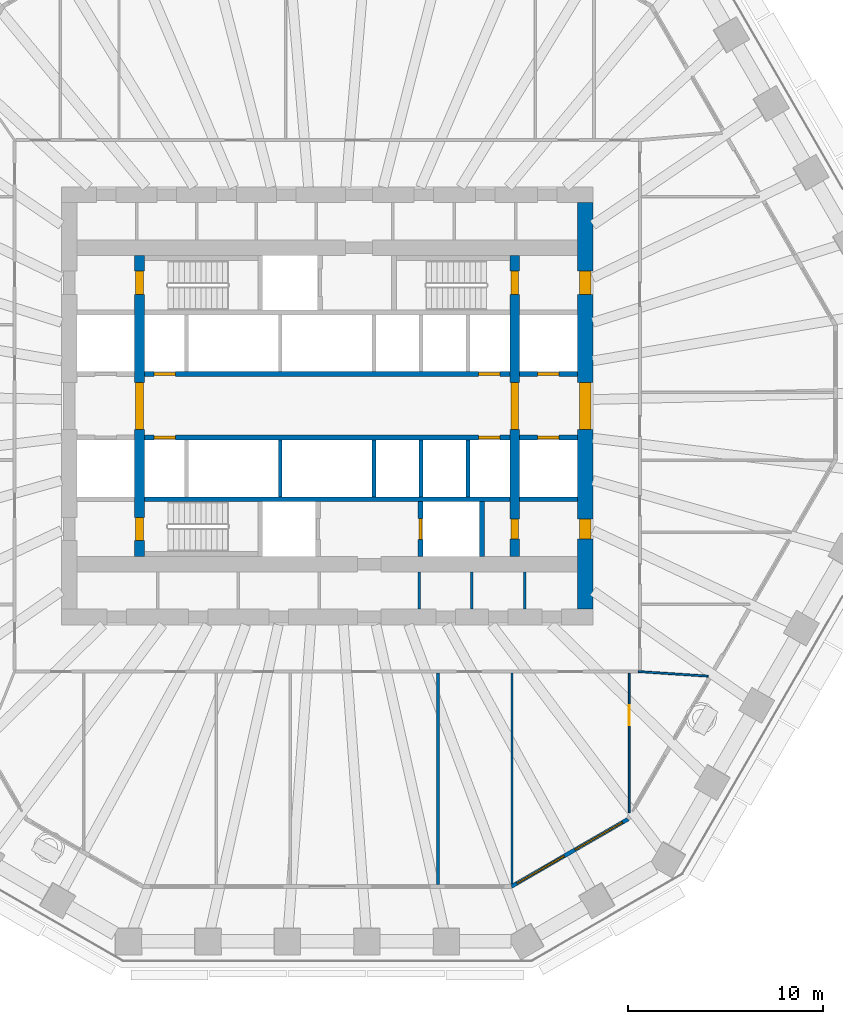
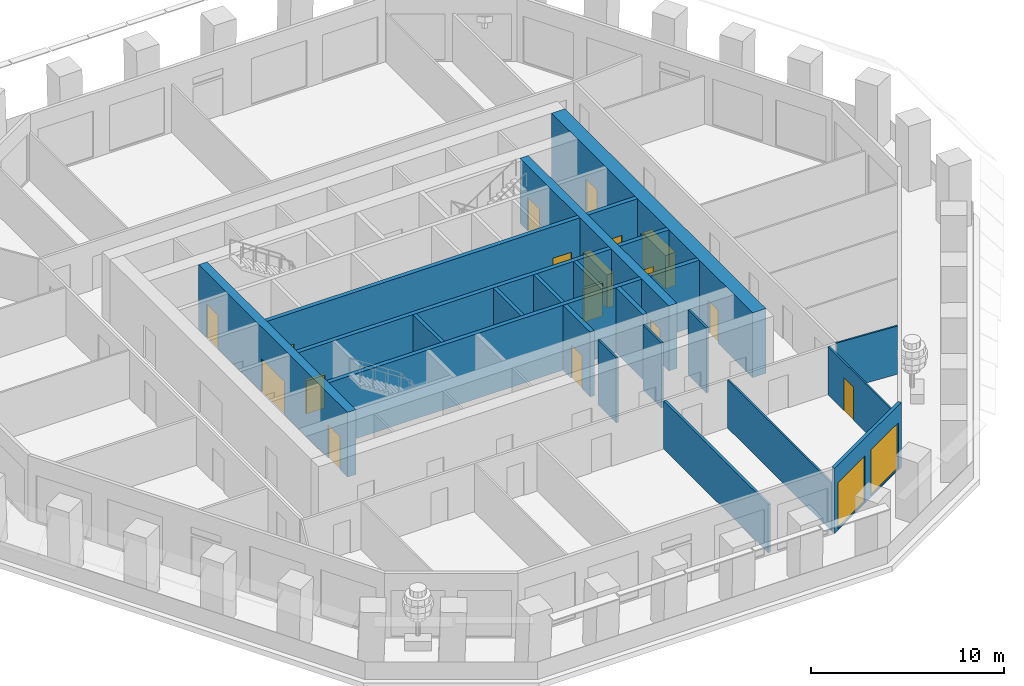
# One storey, part 5 of 13: 23 walls, 17 doors, 2 windows, 19 openings.
"""IFC4 building model written with IfcOpenShell, lengths in metres."""

import ifcopenshell
import ifcopenshell.guid

model = None  # the IFC model being written
_history = None  # IfcOwnerHistory: only IFC2X3 demands one
_inside = {}  # id of a spatial element -> (the spatial element, [elements in it])
_under = {}  # id of a project, library or spatial element -> (it, [spatial elements below it])
_declared = {}  # id of a project -> (the project, [libraries it declares])
_typed = {}  # id of a type object -> (the type object, [elements of that type])
_made_of = {}  # id of a material, layer set ... -> (it, [elements and type objects made of it])


def new_model(schema):
    """Start an empty IFC model of exactly this schema.

    Asked for "IFC4X3", IfcOpenShell would pick the latest addendum, in which some entities
    have other attributes; the version numbers below select the first issue.
    IFC2X3 requires an IfcOwnerHistory on every rooted entity: one is made here for all.
    """
    global model, _history
    if schema == "IFC4X3":
        model = ifcopenshell.file(schema_version=(4, 3, 0, 0))
    else:
        model = ifcopenshell.file(schema=schema)
    _inside.clear()
    _under.clear()
    _declared.clear()
    _typed.clear()
    _made_of.clear()
    _history = None
    if model.schema == "IFC2X3":
        org = make("IfcOrganization", Name="unknown")
        user = make(
            "IfcPersonAndOrganization",
            ThePerson=make("IfcPerson", FamilyName="unknown"),
            TheOrganization=org,
        )
        app = make(
            "IfcApplication",
            ApplicationDeveloper=org,
            Version="unknown",
            ApplicationFullName="unknown",
            ApplicationIdentifier="unknown",
        )
        _history = make(
            "IfcOwnerHistory",
            OwningUser=user,
            OwningApplication=app,
            ChangeAction="ADDED",
            CreationDate=0,
        )
    return model


def make(cls, **values):
    """One entity of the class cls with the attributes given. An attribute that is None is left unset."""
    return model.create_entity(
        cls, **{name: value for name, value in values.items() if value is not None}
    )


def rooted(cls, **values):
    """An entity with a GlobalId (a new one), such as an element, a storey or a relation."""
    return make(cls, GlobalId=ifcopenshell.guid.new(), OwnerHistory=_history, **values)


def si_unit(unit_type, name, prefix=None):
    """IfcSIUnit, for example si_unit("LENGTHUNIT", "METRE", prefix="MILLI")."""
    return make("IfcSIUnit", UnitType=unit_type, Prefix=prefix, Name=name)


def assignment(units):
    """IfcUnitAssignment: the units of a project."""
    return None if units is None else make("IfcUnitAssignment", Units=units)


def point(xyz):
    """IfcCartesianPoint."""
    return None if xyz is None else make("IfcCartesianPoint", Coordinates=xyz)


def direction(xyz):
    """IfcDirection."""
    return None if xyz is None else make("IfcDirection", DirectionRatios=xyz)


def frame(location, z_axis=None, x_axis=None):
    """IfcAxis2Placement3D, a coordinate frame: its origin and axes. An axis left out is left unset."""
    return make(
        "IfcAxis2Placement3D",
        Location=point(location),
        Axis=direction(z_axis),
        RefDirection=direction(x_axis),
    )


def frame_2d(location, x_axis=None):
    """IfcAxis2Placement2D, a coordinate frame in the plane: its origin and x axis."""
    return make(
        "IfcAxis2Placement2D", Location=point(location), RefDirection=direction(x_axis)
    )


def origin():
    """The frame at (0, 0, 0) with its axes left unset."""
    return frame((0.0, 0.0, 0.0))


def place(relative_to, where):
    """IfcLocalPlacement: puts the frame where relative to a parent placement (None: the world)."""
    return make(
        "IfcLocalPlacement", PlacementRelTo=relative_to, RelativePlacement=where
    )


def context(
    kind, dimensions, precision=None, world=None, true_north=None, identifier=None
):
    """IfcGeometricRepresentationContext, for example the 3D "Model" context."""
    return make(
        "IfcGeometricRepresentationContext",
        ContextIdentifier=identifier,
        ContextType=kind,
        CoordinateSpaceDimension=dimensions,
        Precision=precision,
        WorldCoordinateSystem=world,
        TrueNorth=true_north,
    )


def subcontext(parent, identifier, kind, view, scale=None):
    """IfcGeometricRepresentationSubContext, for example "Body" below "Model"."""
    return make(
        "IfcGeometricRepresentationSubContext",
        ContextIdentifier=identifier,
        ContextType=kind,
        ParentContext=parent,
        TargetScale=scale,
        TargetView=view,
    )


def project(units=None, contexts=None):
    """IfcProject with its units and contexts."""
    return rooted(
        "IfcProject",
        Name="project",
        RepresentationContexts=contexts,
        UnitsInContext=assignment(units),
    )


def spatial(cls, under=None, at=None, **own):
    """A site, building, storey or space (cls), placed at a placement, below another one or the project."""
    s = rooted(cls, ObjectPlacement=at, **own)
    if under is not None:
        _under.setdefault(under.id(), (under, []))[1].append(s)
    return s


def polyline(points):
    """IfcPolyline through the points."""
    return make("IfcPolyline", Points=[point(p) for p in points])


def profile(cls, at=None, kind="AREA", **sizes):
    """A parametric profile (cls). Its sizes go by their IFC names, for example OverallWidth=200.0."""
    return make(cls, ProfileType=kind, Position=at, **sizes)


def rectangle(**sizes):
    """IfcRectangleProfileDef."""
    return profile("IfcRectangleProfileDef", **sizes)


def outline(outer, holes=None, kind="AREA"):
    """IfcArbitraryClosedProfileDef: a profile drawn as a closed curve; with holes, ...WithVoids."""
    if holes is None:
        return make("IfcArbitraryClosedProfileDef", ProfileType=kind, OuterCurve=outer)
    return make(
        "IfcArbitraryProfileDefWithVoids",
        ProfileType=kind,
        OuterCurve=outer,
        InnerCurves=holes,
    )


def extrude(swept, where, along, depth):
    """IfcExtrudedAreaSolid: the profile swept, set in the frame where, extruded along a direction by depth."""
    return make(
        "IfcExtrudedAreaSolid",
        SweptArea=swept,
        Position=where,
        ExtrudedDirection=direction(along),
        Depth=depth,
    )


def shape(context_of_items, identifier, shape_type, items):
    """IfcShapeRepresentation: the items that make up one representation, for example the "Body"."""
    return make(
        "IfcShapeRepresentation",
        ContextOfItems=context_of_items,
        RepresentationIdentifier=identifier,
        RepresentationType=shape_type,
        Items=items,
    )


def material(Name=None, Category=None):
    """IfcMaterial."""
    return make("IfcMaterial", Name=Name, Category=Category)


def layer(
    of_material, thickness, ventilated=None, Name=None, Category=None, Priority=None
):
    """IfcMaterialLayer: one layer of a wall or slab, of a material (None: an air gap)."""
    return make(
        "IfcMaterialLayer",
        Material=of_material,
        LayerThickness=thickness,
        IsVentilated=ventilated,
        Name=Name,
        Category=Category,
        Priority=Priority,
    )


def layer_set(layers, Name=None):
    """IfcMaterialLayerSet."""
    return make("IfcMaterialLayerSet", MaterialLayers=layers, LayerSetName=Name)


def made_of(thing, what):
    """Note that an element or type object is made of a material, layer set ...; save() writes the relation."""
    if what is not None:
        _made_of.setdefault(what.id(), (what, []))[1].append(thing)
    return thing


def type_object(cls, material=None, **own):
    """A type object (cls), such as IfcWallType, which elements share."""
    return made_of(rooted(cls, **own), material)


def element(
    cls,
    number,
    at=None,
    inside=None,
    cuts=None,
    type_object=None,
    material=None,
    context=None,
    identifier="Body",
    shape_type=None,
    held_by="IfcProductDefinitionShape",
    body=None,
    shapes=None,
    **own,
):
    """One element of the class cls, such as IfcWall. Its Tag is "e" and its number.

    at: its placement. inside: the storey or other place that contains it. cuts: it is an
    opening in that element (IfcRelVoidsElement). A single representation is given by context,
    identifier, shape_type and body (its items); several are given by shapes. held_by: the class
    of the entity that holds the representations. save() writes the other relations.
    """
    e = rooted(cls, Tag="e%d" % number, ObjectPlacement=at, **own)
    if body is not None:
        shapes = [shape(context, identifier, shape_type, body)]
    if shapes is not None:
        e.Representation = make(held_by, Representations=shapes)
    if inside is not None:
        _inside.setdefault(inside.id(), (inside, []))[1].append(e)
    if cuts is not None:
        rooted(
            "IfcRelVoidsElement", RelatingBuildingElement=cuts, RelatedOpeningElement=e
        )
    if type_object is not None:
        _typed.setdefault(type_object.id(), (type_object, []))[1].append(e)
    return made_of(e, material)


def fill(opening, filler):
    """IfcRelFillsElement: the door or window that sits in an opening."""
    return rooted(
        "IfcRelFillsElement",
        RelatingOpeningElement=opening,
        RelatedBuildingElement=filler,
    )


def aggregate(whole, parts):
    """IfcRelAggregates: a whole, such as a stair, and the parts it consists of."""
    return rooted("IfcRelAggregates", RelatingObject=whole, RelatedObjects=parts)


def save(model, path):
    """Write the relations noted so far, then the file.

    IfcRelAggregates (storeys below a building ...), IfcRelContainedInSpatialStructure (elements
    in a storey), IfcRelDefinesByType, IfcRelAssociatesMaterial and IfcRelDeclares: one each for
    every whole, place, type object, material and project.
    """
    for whole, parts in _under.values():
        aggregate(whole, parts)
    for where, things in _inside.values():
        rooted(
            "IfcRelContainedInSpatialStructure",
            RelatedElements=things,
            RelatingStructure=where,
        )
    for kind, things in _typed.values():
        rooted("IfcRelDefinesByType", RelatedObjects=things, RelatingType=kind)
    for what, things in _made_of.values():
        rooted("IfcRelAssociatesMaterial", RelatedObjects=things, RelatingMaterial=what)
    for by, libraries in _declared.values():
        rooted("IfcRelDeclares", RelatingContext=by, RelatedDefinitions=libraries)
    model.write(path)


model = new_model("IFC4")

# Units and contexts
model_context = context("Model", 3, precision=1e-05, world=origin(), true_north=direction((0.0, 1.0)))
body_context = subcontext(model_context, "Body", "Model", "MODEL_VIEW")
ifc_project = project(units=[si_unit("LENGTHUNIT", "METRE"), si_unit("AREAUNIT", "SQUARE_METRE"), si_unit("VOLUMEUNIT", "CUBIC_METRE"), si_unit("PLANEANGLEUNIT", "RADIAN"), si_unit("MASSUNIT", "GRAM", prefix="KILO")], contexts=[model_context])

# Site, building, storey
site_placement = place(None, origin())
site = spatial("IfcSite", under=ifc_project, at=site_placement, CompositionType="ELEMENT")
building_placement = place(site_placement, origin())
building = spatial("IfcBuilding", under=site, at=building_placement, Name="Frailejon Research Tower", CompositionType="ELEMENT")
storey_placement = place(building_placement, frame((0.0, 0.0, 102.800048828125)))
storey = spatial("IfcBuildingStorey", under=building, at=storey_placement, Name="L22", CompositionType="ELEMENT", Elevation=102.800048828125)

# Walls
ifc_material_1 = material(Name="Plasterboard on steel studs", Category="steel")
ifc_layer_1 = layer(ifc_material_1, 0.125)
ifc_layer_set_1 = layer_set([ifc_layer_1], Name="Core partition 125")
wall_type_1 = type_object("IfcWallType", Name="Core partition 125", PredefinedType="PARTITIONING", material=ifc_layer_set_1)
for number, where, z_axis, x_axis, name in (
    (1, (4.71240234375, -10.39990234375, 0.0), (0.0, 0.0, 1.0), (0.0, 1.0, 0.0), "Core partition"),
    (2, (7.408203125, -10.39990234375, 0.0), (0.0, 0.0, 1.0), (0.0, 1.0, 0.0), "Core partition"),
    (3, (10.104248046875, -10.39990234375, 0.0), (0.0, 0.0, 1.0), (0.0, 1.0, 0.0), "Core partition"),
):
    element("IfcWall", number, at=place(storey_placement, frame(where, z_axis=z_axis, x_axis=x_axis)), inside=storey, type_object=wall_type_1, Name=name, PredefinedType="PARTITIONING", context=body_context, shape_type="SweptSolid", body=[
        extrude(rectangle(XDim=1.89990234375, YDim=0.125, at=frame_2d((0.949951171875, 0.0))), origin(), (0.0, 0.0, 1.0), 4.099853515625),
    ])

# Wall, openings, doors
ifc_material_2 = material(Name="Concrete C70/85", Category="concrete")
ifc_layer_2 = layer(ifc_material_2, 0.5)
ifc_layer_set_2 = layer_set([ifc_layer_2], Name="Core shear wall 500 C70/85")
wall_type_2 = type_object("IfcWallType", Name="Core shear wall 500 C70/85", PredefinedType="SHEAR", material=ifc_layer_set_2)
wall_1_placement = place(storey_placement, frame((-9.60009765625, -7.699951171875, 0.0), z_axis=(0.0, 0.0, 1.0), x_axis=(0.0, 1.0, 0.0)))
wall_1 = element("IfcWall", 4, at=wall_1_placement, inside=storey, type_object=wall_type_2, Name="Core shear wall", PredefinedType="SHEAR", context=body_context, shape_type="SweptSolid", body=[
    extrude(rectangle(XDim=15.39990234375, YDim=0.5, at=frame_2d((7.699951171875, 0.0))), origin(), (0.0, 0.0, 1.0), 4.099853515625),
])
opening_1_placement = place(wall_1_placement, frame((6.5, 0.0, 0.0)))
opening_1 = element("IfcOpeningElement", 5, at=opening_1_placement, cuts=wall_1, Name="Opening D2", PredefinedType="OPENING", context=body_context, shape_type="SweptSolid", body=[
    extrude(rectangle(XDim=2.39990234375, YDim=2.10009765625, at=frame_2d((1.199951171875, 1.050048828125))), frame((0.0, 0.260009765625, 0.0), z_axis=(0.0, -1.0, 0.0), x_axis=(1.0, 0.0, 0.0)), (0.0, 0.0, 1.0), 0.52001953125),
])
opening_2_placement = place(wall_1_placement, frame((13.39990234375, 0.0, 0.0)))
opening_2 = element("IfcOpeningElement", 6, at=opening_2_placement, cuts=wall_1, Name="Opening D1", PredefinedType="OPENING", context=body_context, shape_type="SweptSolid", body=[
    extrude(rectangle(XDim=1.199951171875, YDim=2.10009765625, at=frame_2d((0.60009765625, 1.050048828125))), frame((0.0, 0.260009765625, 0.0), z_axis=(0.0, -1.0, 0.0), x_axis=(1.0, 0.0, 0.0)), (0.0, 0.0, 1.0), 0.52001953125),
])
opening_3_placement = place(wall_1_placement, frame((0.800048828125, 0.0, 0.0)))
opening_3 = element("IfcOpeningElement", 7, at=opening_3_placement, cuts=wall_1, Name="Opening D1", PredefinedType="OPENING", context=body_context, shape_type="SweptSolid", body=[
    extrude(rectangle(XDim=1.199951171875, YDim=2.10009765625, at=frame_2d((0.60009765625, 1.050048828125))), frame((0.0, 0.260009765625, 0.0), z_axis=(0.0, -1.0, 0.0), x_axis=(1.0, 0.0, 0.0)), (0.0, 0.0, 1.0), 0.52001953125),
])
ifc_material_3 = material(Name="Steel", Category="steel")
door_type_1 = type_object("IfcDoorType", Name="Lobby double door", OperationType="DOUBLE_DOOR_SINGLE_SWING", PredefinedType="DOOR", material=ifc_material_3)
door_1_placement = place(opening_1_placement, origin())
door_1 = element("IfcDoor", 8, at=door_1_placement, inside=storey, type_object=door_type_1, Name="Lobby door", OperationType="DOUBLE_DOOR_SINGLE_SWING", OverallHeight=2.10009765625, OverallWidth=2.39990234375, PredefinedType="DOOR", context=body_context, shape_type="SweptSolid", body=[
    extrude(rectangle(XDim=2.39990234375, YDim=2.10009765625, at=frame_2d((1.199951171875, 1.050048828125))), frame((0.0, 0.199951171875, 0.0), z_axis=(0.0, -1.0, 0.0), x_axis=(1.0, 0.0, 0.0)), (0.0, 0.0, 1.0), 0.39990234375),
])
fill(opening_1, door_1)
ifc_material_4 = material(Name="Steel", Category="steel")
door_type_2 = type_object("IfcDoorType", Name="Stair door", OperationType="SINGLE_SWING_LEFT", PredefinedType="DOOR", material=ifc_material_4)
door_2_placement = place(opening_2_placement, origin())
door_2 = element("IfcDoor", 9, at=door_2_placement, inside=storey, type_object=door_type_2, Name="Stair door ST1", OperationType="SINGLE_SWING_LEFT", OverallHeight=2.10009765625, OverallWidth=1.199951171875, PredefinedType="DOOR", context=body_context, shape_type="SweptSolid", body=[
    extrude(rectangle(XDim=1.199951171875, YDim=2.10009765625, at=frame_2d((0.60009765625, 1.050048828125))), frame((0.0, 0.199951171875, 0.0), z_axis=(0.0, -1.0, 0.0), x_axis=(1.0, 0.0, 0.0)), (0.0, 0.0, 1.0), 0.39990234375),
])
fill(opening_2, door_2)
door_3_placement = place(opening_3_placement, origin())
door_3 = element("IfcDoor", 10, at=door_3_placement, inside=storey, type_object=door_type_2, Name="Stair door ST2", OperationType="SINGLE_SWING_LEFT", OverallHeight=2.10009765625, OverallWidth=1.199951171875, PredefinedType="DOOR", context=body_context, shape_type="SweptSolid", body=[
    extrude(rectangle(XDim=1.199951171875, YDim=2.10009765625, at=frame_2d((0.60009765625, 1.050048828125))), frame((0.0, 0.199951171875, 0.0), z_axis=(0.0, -1.0, 0.0), x_axis=(1.0, 0.0, 0.0)), (0.0, 0.0, 1.0), 0.39990234375),
])
fill(opening_3, door_3)

wall_2_placement = place(storey_placement, frame((9.60009765625, -7.699951171875, 0.0), z_axis=(0.0, 0.0, 1.0), x_axis=(0.0, 1.0, 0.0)))
wall_2 = element("IfcWall", 11, at=wall_2_placement, inside=storey, type_object=wall_type_2, Name="Core shear wall", PredefinedType="SHEAR", context=body_context, shape_type="SweptSolid", body=[
    extrude(rectangle(XDim=15.39990234375, YDim=0.5, at=frame_2d((7.699951171875, 0.0))), origin(), (0.0, 0.0, 1.0), 4.099853515625),
])
opening_4_placement = place(wall_2_placement, frame((6.5, 0.0, 0.0)))
opening_4 = element("IfcOpeningElement", 12, at=opening_4_placement, cuts=wall_2, Name="Opening D2", PredefinedType="OPENING", context=body_context, shape_type="SweptSolid", body=[
    extrude(rectangle(XDim=2.39990234375, YDim=2.10009765625, at=frame_2d((1.199951171875, 1.050048828125))), frame((0.0, 0.260009765625, 0.0), z_axis=(0.0, -1.0, 0.0), x_axis=(1.0, 0.0, 0.0)), (0.0, 0.0, 1.0), 0.52001953125),
])
opening_5_placement = place(wall_2_placement, frame((13.39990234375, 0.0, 0.0)))
opening_5 = element("IfcOpeningElement", 13, at=opening_5_placement, cuts=wall_2, Name="Opening D1", PredefinedType="OPENING", context=body_context, shape_type="SweptSolid", body=[
    extrude(rectangle(XDim=1.199951171875, YDim=2.10009765625, at=frame_2d((0.60009765625, 1.050048828125))), frame((0.0, 0.260009765625, 0.0), z_axis=(0.0, -1.0, 0.0), x_axis=(1.0, 0.0, 0.0)), (0.0, 0.0, 1.0), 0.52001953125),
])
opening_6_placement = place(wall_2_placement, frame((0.89990234375, 0.0, 0.0)))
opening_6 = element("IfcOpeningElement", 14, at=opening_6_placement, cuts=wall_2, Name="Opening D4", PredefinedType="OPENING", context=body_context, shape_type="SweptSolid", body=[
    extrude(rectangle(XDim=1.0, YDim=2.10009765625, at=frame_2d((0.5, 1.050048828125))), frame((0.0, 0.260009765625, 0.0), z_axis=(0.0, -1.0, 0.0), x_axis=(1.0, 0.0, 0.0)), (0.0, 0.0, 1.0), 0.52001953125),
])
door_4_placement = place(opening_4_placement, origin())
door_4 = element("IfcDoor", 15, at=door_4_placement, inside=storey, type_object=door_type_1, Name="Lobby door", OperationType="DOUBLE_DOOR_SINGLE_SWING", OverallHeight=2.10009765625, OverallWidth=2.39990234375, PredefinedType="DOOR", context=body_context, shape_type="SweptSolid", body=[
    extrude(rectangle(XDim=2.39990234375, YDim=2.10009765625, at=frame_2d((1.199951171875, 1.050048828125))), frame((0.0, 0.199951171875, 0.0), z_axis=(0.0, -1.0, 0.0), x_axis=(1.0, 0.0, 0.0)), (0.0, 0.0, 1.0), 0.39990234375),
])
fill(opening_4, door_4)
ifc_material_5 = material(Name="Steel", Category="steel")
door_type_3 = type_object("IfcDoorType", Name="Service door", OperationType="SINGLE_SWING_LEFT", PredefinedType="DOOR", material=ifc_material_5)
door_5_placement = place(opening_6_placement, origin())
door_5 = element("IfcDoor", 16, at=door_5_placement, inside=storey, type_object=door_type_3, Name="Riser door", OperationType="SINGLE_SWING_LEFT", OverallHeight=2.10009765625, OverallWidth=1.0, PredefinedType="DOOR", context=body_context, shape_type="SweptSolid", body=[
    extrude(rectangle(XDim=1.0, YDim=2.10009765625, at=frame_2d((0.5, 1.050048828125))), frame((0.0, 0.199951171875, 0.0), z_axis=(0.0, -1.0, 0.0), x_axis=(1.0, 0.0, 0.0)), (0.0, 0.0, 1.0), 0.39990234375),
])
fill(opening_6, door_5)
door_6_placement = place(opening_5_placement, origin())
door_6 = element("IfcDoor", 17, at=door_6_placement, inside=storey, type_object=door_type_2, Name="Stair door ST3", OperationType="SINGLE_SWING_LEFT", OverallHeight=2.10009765625, OverallWidth=1.199951171875, PredefinedType="DOOR", context=body_context, shape_type="SweptSolid", body=[
    extrude(rectangle(XDim=1.199951171875, YDim=2.10009765625, at=frame_2d((0.60009765625, 1.050048828125))), frame((0.0, 0.199951171875, 0.0), z_axis=(0.0, -1.0, 0.0), x_axis=(1.0, 0.0, 0.0)), (0.0, 0.0, 1.0), 0.39990234375),
])
fill(opening_5, door_6)

ifc_material_6 = material(Name="Concrete C70/85", Category="concrete")
ifc_layer_3 = layer(ifc_material_6, 0.800048828125)
ifc_layer_set_3 = layer_set([ifc_layer_3], Name="Core shear wall 800 C70/85")
wall_type_3 = type_object("IfcWallType", Name="Core shear wall 800 C70/85", PredefinedType="SHEAR", material=ifc_layer_set_3)
wall_3_placement = place(storey_placement, frame((13.199951171875, -10.39990234375, 0.0), z_axis=(0.0, 0.0, 1.0), x_axis=(0.0, 1.0, 0.0)))
wall_3 = element("IfcWall", 18, at=wall_3_placement, inside=storey, type_object=wall_type_3, Name="Core shear wall", PredefinedType="SHEAR", context=body_context, shape_type="SweptSolid", body=[
    extrude(rectangle(XDim=20.7998046875, YDim=0.800048828125, at=frame_2d((10.39990234375, 0.0))), origin(), (0.0, 0.0, 1.0), 4.099853515625),
])
opening_7_placement = place(wall_3_placement, frame((9.199951171875, 0.0, 0.0)))
opening_7 = element("IfcOpeningElement", 19, at=opening_7_placement, cuts=wall_3, Name="Opening D2", PredefinedType="OPENING", context=body_context, shape_type="SweptSolid", body=[
    extrude(rectangle(XDim=2.39990234375, YDim=2.10009765625, at=frame_2d((1.199951171875, 1.050048828125))), frame((0.0, 0.409912109375, 0.0), z_axis=(0.0, -1.0, 0.0), x_axis=(1.0, 0.0, 0.0)), (0.0, 0.0, 1.0), 0.820068359375),
])
opening_8_placement = place(wall_3_placement, frame((16.10009765625, 0.0, 0.0)))
opening_8 = element("IfcOpeningElement", 20, at=opening_8_placement, cuts=wall_3, Name="Opening D7", PredefinedType="OPENING", context=body_context, shape_type="SweptSolid", body=[
    extrude(rectangle(XDim=1.199951171875, YDim=2.10009765625, at=frame_2d((0.60009765625, 1.050048828125))), frame((0.0, 0.409912109375, 0.0), z_axis=(0.0, -1.0, 0.0), x_axis=(1.0, 0.0, 0.0)), (0.0, 0.0, 1.0), 0.820068359375),
])
opening_9_placement = place(wall_3_placement, frame((3.60009765625, 0.0, 0.0)))
opening_9 = element("IfcOpeningElement", 21, at=opening_9_placement, cuts=wall_3, Name="Opening D4", PredefinedType="OPENING", context=body_context, shape_type="SweptSolid", body=[
    extrude(rectangle(XDim=1.0, YDim=2.10009765625, at=frame_2d((0.5, 1.050048828125))), frame((0.0, 0.409912109375, 0.0), z_axis=(0.0, -1.0, 0.0), x_axis=(1.0, 0.0, 0.0)), (0.0, 0.0, 1.0), 0.820068359375),
])
door_7_placement = place(opening_7_placement, origin())
door_7 = element("IfcDoor", 22, at=door_7_placement, inside=storey, type_object=door_type_1, Name="Lobby door", OperationType="DOUBLE_DOOR_SINGLE_SWING", OverallHeight=2.10009765625, OverallWidth=2.39990234375, PredefinedType="DOOR", context=body_context, shape_type="SweptSolid", body=[
    extrude(rectangle(XDim=2.39990234375, YDim=2.10009765625, at=frame_2d((1.199951171875, 1.050048828125))), frame((0.0, 0.300048828125, 0.0), z_axis=(0.0, -1.0, 0.0), x_axis=(1.0, 0.0, 0.0)), (0.0, 0.0, 1.0), 0.60009765625),
])
fill(opening_7, door_7)
door_8_placement = place(opening_9_placement, origin())
door_8 = element("IfcDoor", 23, at=door_8_placement, inside=storey, type_object=door_type_3, Name="Store door", OperationType="SINGLE_SWING_RIGHT", OverallHeight=2.10009765625, OverallWidth=1.0, PredefinedType="DOOR", context=body_context, shape_type="SweptSolid", body=[
    extrude(rectangle(XDim=1.0, YDim=2.10009765625, at=frame_2d((0.5, 1.050048828125))), frame((0.0, 0.300048828125, 0.0), z_axis=(0.0, -1.0, 0.0), x_axis=(1.0, 0.0, 0.0)), (0.0, 0.0, 1.0), 0.60009765625),
])
fill(opening_9, door_8)
ifc_material_7 = material(Name="Steel", Category="steel")
door_type_4 = type_object("IfcDoorType", Name="Stair exit door", OperationType="SINGLE_SWING_LEFT", PredefinedType="DOOR", material=ifc_material_7)
door_9_placement = place(opening_8_placement, origin())
door_9 = element("IfcDoor", 24, at=door_9_placement, inside=storey, type_object=door_type_4, Name="Stair exit door ST3", OperationType="SINGLE_SWING_RIGHT", OverallHeight=2.10009765625, OverallWidth=1.199951171875, PredefinedType="DOOR", context=body_context, shape_type="SweptSolid", body=[
    extrude(rectangle(XDim=1.199951171875, YDim=2.10009765625, at=frame_2d((0.60009765625, 1.050048828125))), frame((0.0, 0.300048828125, 0.0), z_axis=(0.0, -1.0, 0.0), x_axis=(1.0, 0.0, 0.0)), (0.0, 0.0, 1.0), 0.60009765625),
])
fill(opening_8, door_9)

# Walls
ifc_material_8 = material(Name="Gypsum board and masonry partition", Category="masonry")
ifc_layer_4 = layer(ifc_material_8, 0.14990234375)
ifc_layer_set_4 = layer_set([ifc_layer_4], Name="Laboratory partition, blockwork 150")
wall_type_4 = type_object("IfcWallType", Name="Laboratory partition, blockwork 150", PredefinedType="PARTITIONING", material=ifc_layer_set_4)
wall_4_placement = place(storey_placement, frame((5.67431640625, -24.491455078125, 0.0), z_axis=(0.0, 0.0, 1.0), x_axis=(0.0, 1.0, 0.0)))
element("IfcWall", 25, at=wall_4_placement, inside=storey, type_object=wall_type_4, Name="T:IW:L22:010", PredefinedType="PARTITIONING", context=body_context, shape_type="SweptSolid", body=[
    extrude(rectangle(XDim=10.81640625, YDim=0.14990234375, at=frame_2d((5.408203125, 0.0))), origin(), (0.0, 0.0, 1.0), 3.050048828125),
])
ifc_material_9 = material(Name="Gypsum board and masonry partition", Category="masonry")
ifc_layer_5 = layer(ifc_material_9, 0.10009765625)
ifc_layer_set_5 = layer_set([ifc_layer_5], Name="Partition, gypsum on steel studs 100")
wall_type_5 = type_object("IfcWallType", Name="Partition, gypsum on steel studs 100", PredefinedType="PARTITIONING", material=ifc_layer_set_5)
wall_5_placement = place(storey_placement, frame((9.457275390625, -24.46044921875, 0.0), z_axis=(0.0, 0.0, 1.0), x_axis=(0.0, 1.0, 0.0)))
element("IfcWall", 26, at=wall_5_placement, inside=storey, type_object=wall_type_5, Name="T:IW:L22:023", PredefinedType="PARTITIONING", context=body_context, shape_type="SweptSolid", body=[
    extrude(rectangle(XDim=10.785400390625, YDim=0.10009765625, at=frame_2d((5.392578125, 0.0))), origin(), (0.0, 0.0, 1.0), 3.050048828125),
])

# Wall, opening, door
wall_6_placement = place(storey_placement, frame((15.457275390625, -20.827392578125, 0.0), z_axis=(0.0, 0.0, 1.0), x_axis=(0.0, 1.0, 0.0)))
wall_6 = element("IfcWall", 27, at=wall_6_placement, inside=storey, type_object=wall_type_5, Name="T:IW:L22:024", PredefinedType="PARTITIONING", context=body_context, shape_type="SweptSolid", body=[
    extrude(rectangle(XDim=7.15234375, YDim=0.10009765625, at=frame_2d((3.576171875, 0.0))), origin(), (0.0, 0.0, 1.0), 3.050048828125),
])
opening_10_placement = place(wall_6_placement, frame((4.49560546875, 0.0, 0.0)))
opening_10 = element("IfcOpeningElement", 28, at=opening_10_placement, cuts=wall_6, Name="Opening D1594", PredefinedType="OPENING", context=body_context, shape_type="SweptSolid", body=[
    extrude(rectangle(XDim=1.0, YDim=2.10009765625, at=frame_2d((0.5, 1.050048828125))), frame((0.0, 0.06005859375, 0.0), z_axis=(0.0, -1.0, 0.0), x_axis=(1.0, 0.0, 0.0)), (0.0, 0.0, 1.0), 0.1201171875),
])
ifc_material_10 = material(Name="Timber door leaf", Category="wood")
door_type_5 = type_object("IfcDoorType", Name="Door single leaf, timber, steel frame 1000", OperationType="NOTDEFINED", PredefinedType="DOOR", material=ifc_material_10)
door_10_placement = place(opening_10_placement, origin())
door_10 = element("IfcDoor", 29, at=door_10_placement, inside=storey, type_object=door_type_5, Name="D1594", OperationType="SINGLE_SWING_RIGHT", OverallHeight=2.10009765625, OverallWidth=1.0, PredefinedType="DOOR", context=body_context, shape_type="SweptSolid", body=[
    extrude(rectangle(XDim=1.0, YDim=2.10009765625, at=frame_2d((0.5, 1.050048828125))), frame((0.0, 0.02490234375, 0.0), z_axis=(0.0, -1.0, 0.0), x_axis=(1.0, 0.0, 0.0)), (0.0, 0.0, 1.0), 0.050048828125),
])
fill(opening_10, door_10)

# Walls
wall_7_placement = place(storey_placement, frame((15.92529296875, -13.59521484375, 0.0), z_axis=(0.0, 0.0, 1.0), x_axis=(0.997831097528, -0.065826292666, 0.0)))
element("IfcWall", 30, at=wall_7_placement, inside=storey, type_object=wall_type_5, Name="T:IW:L22:025", PredefinedType="PARTITIONING", context=body_context, shape_type="SweptSolid", body=[
    extrude(rectangle(XDim=3.5791015625, YDim=0.10009765625, at=frame_2d((1.78955078125, 0.0))), origin(), (0.0, 0.0, 1.0), 3.050048828125),
])
ifc_material_11 = material(Name="Concrete C70/85", Category="concrete")
ifc_layer_6 = layer(ifc_material_11, 0.199951171875)
ifc_layer_set_6 = layer_set([ifc_layer_6], Name="Shaft wall 200 C70/85")
wall_type_6 = type_object("IfcWallType", Name="Shaft wall 200 C70/85", PredefinedType="SOLIDWALL", material=ifc_layer_set_6)
for number, where, z_axis, x_axis, name in (
    (31, (-2.39990234375, -4.64990234375, 0.0), (0.0, 0.0, 1.0), (0.0, 1.0, 0.0), "Shaft wall"),
    (32, (2.39990234375, -4.64990234375, 0.0), (0.0, 0.0, 1.0), (0.0, 1.0, 0.0), "Shaft wall"),
    (33, (4.800048828125, -4.64990234375, 0.0), (0.0, 0.0, 1.0), (0.0, 1.0, 0.0), "Shaft wall"),
    (34, (7.199951171875, -4.64990234375, 0.0), (0.0, 0.0, 1.0), (0.0, 1.0, 0.0), "Shaft wall"),
):
    element("IfcWall", number, at=place(storey_placement, frame(where, z_axis=z_axis, x_axis=x_axis)), inside=storey, type_object=wall_type_6, Name=name, PredefinedType="SOLIDWALL", context=body_context, shape_type="SweptSolid", body=[
        extrude(rectangle(XDim=2.89990234375, YDim=0.199951171875, at=frame_2d((1.449951171875, 0.0))), origin(), (0.0, 0.0, 1.0), 4.099853515625),
    ])

# Wall, openings, doors
ifc_material_12 = material(Name="Concrete C70/85", Category="concrete")
ifc_layer_7 = layer(ifc_material_12, 0.25)
ifc_layer_set_7 = layer_set([ifc_layer_7], Name="Shaft wall 250 C70/85")
wall_type_7 = type_object("IfcWallType", Name="Shaft wall 250 C70/85", PredefinedType="SOLIDWALL", material=ifc_layer_set_7)
wall_8_placement = place(storey_placement, frame((-9.35009765625, 1.625, 0.0), z_axis=(0.0, 0.0, 1.0), x_axis=(1.0, 0.0, 0.0)))
wall_8 = element("IfcWall", 35, at=wall_8_placement, inside=storey, type_object=wall_type_7, Name="Shaft wall", PredefinedType="SOLIDWALL", context=body_context, shape_type="SweptSolid", body=[
    extrude(rectangle(XDim=18.7001953125, YDim=0.25, at=frame_2d((9.35009765625, 0.0))), origin(), (0.0, 0.0, 1.0), 4.099853515625),
])
opening_11_placement = place(wall_8_placement, frame((0.5, 0.0, 0.0)))
opening_11 = element("IfcOpeningElement", 36, at=opening_11_placement, cuts=wall_8, Name="Opening LD", PredefinedType="OPENING", context=body_context, shape_type="SweptSolid", body=[
    extrude(rectangle(XDim=1.10009765625, YDim=2.10009765625, at=frame_2d((0.550048828125, 1.050048828125))), frame((0.0, 0.135009765625, 0.0), z_axis=(0.0, -1.0, 0.0), x_axis=(1.0, 0.0, 0.0)), (0.0, 0.0, 1.0), 0.27001953125),
])
opening_12_placement = place(wall_8_placement, frame((17.10009765625, 0.0, 0.0)))
opening_12 = element("IfcOpeningElement", 37, at=opening_12_placement, cuts=wall_8, Name="Opening LD", PredefinedType="OPENING", context=body_context, shape_type="SweptSolid", body=[
    extrude(rectangle(XDim=1.10009765625, YDim=2.10009765625, at=frame_2d((0.550048828125, 1.050048828125))), frame((0.0, 0.135009765625, 0.0), z_axis=(0.0, -1.0, 0.0), x_axis=(1.0, 0.0, 0.0)), (0.0, 0.0, 1.0), 0.27001953125),
])
ifc_material_13 = material(Name="Steel", Category="steel")
door_type_6 = type_object("IfcDoorType", Name="Lift landing door", OperationType="DOUBLE_DOOR_SLIDING", PredefinedType="DOOR", material=ifc_material_13)
door_11_placement = place(opening_11_placement, origin())
door_11 = element("IfcDoor", 38, at=door_11_placement, inside=storey, type_object=door_type_6, Name="Lift landing door", OperationType="DOUBLE_DOOR_SLIDING", OverallHeight=2.10009765625, OverallWidth=1.10009765625, PredefinedType="DOOR", context=body_context, shape_type="SweptSolid", body=[
    extrude(rectangle(XDim=1.10009765625, YDim=2.10009765625, at=frame_2d((0.550048828125, 1.050048828125))), frame((0.0, 0.074951171875, 0.0), z_axis=(0.0, -1.0, 0.0), x_axis=(1.0, 0.0, 0.0)), (0.0, 0.0, 1.0), 0.14990234375),
])
fill(opening_11, door_11)
door_12_placement = place(opening_12_placement, origin())
door_12 = element("IfcDoor", 39, at=door_12_placement, inside=storey, type_object=door_type_6, Name="Lift landing door", OperationType="DOUBLE_DOOR_SLIDING", OverallHeight=2.10009765625, OverallWidth=1.10009765625, PredefinedType="DOOR", context=body_context, shape_type="SweptSolid", body=[
    extrude(rectangle(XDim=1.10009765625, YDim=2.10009765625, at=frame_2d((0.550048828125, 1.050048828125))), frame((0.0, 0.074951171875, 0.0), z_axis=(0.0, -1.0, 0.0), x_axis=(1.0, 0.0, 0.0)), (0.0, 0.0, 1.0), 0.14990234375),
])
fill(opening_12, door_12)

# Wall, opening, door
wall_9_placement = place(storey_placement, frame((9.85009765625, 1.625, 0.0), z_axis=(0.0, 0.0, 1.0), x_axis=(1.0, 0.0, 0.0)))
wall_9 = element("IfcWall", 40, at=wall_9_placement, inside=storey, type_object=wall_type_7, Name="Shaft wall", PredefinedType="SOLIDWALL", context=body_context, shape_type="SweptSolid", body=[
    extrude(rectangle(XDim=2.949951171875, YDim=0.25, at=frame_2d((1.47509765625, 0.0))), origin(), (0.0, 0.0, 1.0), 4.099853515625),
])
opening_13_placement = place(wall_9_placement, frame((0.925048828125, 0.0, 0.0)))
opening_13 = element("IfcOpeningElement", 41, at=opening_13_placement, cuts=wall_9, Name="Opening LD", PredefinedType="OPENING", context=body_context, shape_type="SweptSolid", body=[
    extrude(rectangle(XDim=1.10009765625, YDim=2.10009765625, at=frame_2d((0.550048828125, 1.050048828125))), frame((0.0, 0.135009765625, 0.0), z_axis=(0.0, -1.0, 0.0), x_axis=(1.0, 0.0, 0.0)), (0.0, 0.0, 1.0), 0.27001953125),
])
door_13_placement = place(opening_13_placement, origin())
door_13 = element("IfcDoor", 42, at=door_13_placement, inside=storey, type_object=door_type_6, Name="Lift landing door", OperationType="DOUBLE_DOOR_SLIDING", OverallHeight=2.10009765625, OverallWidth=1.10009765625, PredefinedType="DOOR", context=body_context, shape_type="SweptSolid", body=[
    extrude(rectangle(XDim=1.10009765625, YDim=2.10009765625, at=frame_2d((0.550048828125, 1.050048828125))), frame((0.0, 0.074951171875, 0.0), z_axis=(0.0, -1.0, 0.0), x_axis=(1.0, 0.0, 0.0)), (0.0, 0.0, 1.0), 0.14990234375),
])
fill(opening_13, door_13)

# Wall, openings, doors
wall_10_placement = place(storey_placement, frame((-9.35009765625, -1.625, 0.0), z_axis=(0.0, 0.0, 1.0), x_axis=(1.0, 0.0, 0.0)))
wall_10 = element("IfcWall", 43, at=wall_10_placement, inside=storey, type_object=wall_type_7, Name="Shaft wall", PredefinedType="SOLIDWALL", context=body_context, shape_type="SweptSolid", body=[
    extrude(rectangle(XDim=18.7001953125, YDim=0.25, at=frame_2d((9.35009765625, 0.0))), origin(), (0.0, 0.0, 1.0), 4.099853515625),
])
opening_14_placement = place(wall_10_placement, frame((0.5, 0.0, 0.0)))
opening_14 = element("IfcOpeningElement", 44, at=opening_14_placement, cuts=wall_10, Name="Opening LD", PredefinedType="OPENING", context=body_context, shape_type="SweptSolid", body=[
    extrude(rectangle(XDim=1.10009765625, YDim=2.10009765625, at=frame_2d((0.550048828125, 1.050048828125))), frame((0.0, 0.135009765625, 0.0), z_axis=(0.0, -1.0, 0.0), x_axis=(1.0, 0.0, 0.0)), (0.0, 0.0, 1.0), 0.27001953125),
])
opening_15_placement = place(wall_10_placement, frame((17.10009765625, 0.0, 0.0)))
opening_15 = element("IfcOpeningElement", 45, at=opening_15_placement, cuts=wall_10, Name="Opening LD", PredefinedType="OPENING", context=body_context, shape_type="SweptSolid", body=[
    extrude(rectangle(XDim=1.10009765625, YDim=2.10009765625, at=frame_2d((0.550048828125, 1.050048828125))), frame((0.0, 0.135009765625, 0.0), z_axis=(0.0, -1.0, 0.0), x_axis=(1.0, 0.0, 0.0)), (0.0, 0.0, 1.0), 0.27001953125),
])
door_14_placement = place(opening_14_placement, origin())
door_14 = element("IfcDoor", 46, at=door_14_placement, inside=storey, type_object=door_type_6, Name="Lift landing door", OperationType="DOUBLE_DOOR_SLIDING", OverallHeight=2.10009765625, OverallWidth=1.10009765625, PredefinedType="DOOR", context=body_context, shape_type="SweptSolid", body=[
    extrude(rectangle(XDim=1.10009765625, YDim=2.10009765625, at=frame_2d((0.550048828125, 1.050048828125))), frame((0.0, 0.074951171875, 0.0), z_axis=(0.0, -1.0, 0.0), x_axis=(1.0, 0.0, 0.0)), (0.0, 0.0, 1.0), 0.14990234375),
])
fill(opening_14, door_14)
door_15_placement = place(opening_15_placement, origin())
door_15 = element("IfcDoor", 47, at=door_15_placement, inside=storey, type_object=door_type_6, Name="Lift landing door", OperationType="DOUBLE_DOOR_SLIDING", OverallHeight=2.10009765625, OverallWidth=1.10009765625, PredefinedType="DOOR", context=body_context, shape_type="SweptSolid", body=[
    extrude(rectangle(XDim=1.10009765625, YDim=2.10009765625, at=frame_2d((0.550048828125, 1.050048828125))), frame((0.0, 0.074951171875, 0.0), z_axis=(0.0, -1.0, 0.0), x_axis=(1.0, 0.0, 0.0)), (0.0, 0.0, 1.0), 0.14990234375),
])
fill(opening_15, door_15)

# Wall, opening, door
wall_11_placement = place(storey_placement, frame((9.85009765625, -1.625, 0.0), z_axis=(0.0, 0.0, 1.0), x_axis=(1.0, 0.0, 0.0)))
wall_11 = element("IfcWall", 48, at=wall_11_placement, inside=storey, type_object=wall_type_7, Name="Shaft wall", PredefinedType="SOLIDWALL", context=body_context, shape_type="SweptSolid", body=[
    extrude(rectangle(XDim=2.949951171875, YDim=0.25, at=frame_2d((1.47509765625, 0.0))), origin(), (0.0, 0.0, 1.0), 4.099853515625),
])
opening_16_placement = place(wall_11_placement, frame((0.925048828125, 0.0, 0.0)))
opening_16 = element("IfcOpeningElement", 49, at=opening_16_placement, cuts=wall_11, Name="Opening LD", PredefinedType="OPENING", context=body_context, shape_type="SweptSolid", body=[
    extrude(rectangle(XDim=1.10009765625, YDim=2.10009765625, at=frame_2d((0.550048828125, 1.050048828125))), frame((0.0, 0.135009765625, 0.0), z_axis=(0.0, -1.0, 0.0), x_axis=(1.0, 0.0, 0.0)), (0.0, 0.0, 1.0), 0.27001953125),
])
door_16_placement = place(opening_16_placement, origin())
door_16 = element("IfcDoor", 50, at=door_16_placement, inside=storey, type_object=door_type_6, Name="Lift landing door", OperationType="DOUBLE_DOOR_SLIDING", OverallHeight=2.10009765625, OverallWidth=1.10009765625, PredefinedType="DOOR", context=body_context, shape_type="SweptSolid", body=[
    extrude(rectangle(XDim=1.10009765625, YDim=2.10009765625, at=frame_2d((0.550048828125, 1.050048828125))), frame((0.0, 0.074951171875, 0.0), z_axis=(0.0, -1.0, 0.0), x_axis=(1.0, 0.0, 0.0)), (0.0, 0.0, 1.0), 0.14990234375),
])
fill(opening_16, door_16)

# Walls
wall_12_placement = place(storey_placement, frame((-9.35009765625, -4.77490234375, 0.0), z_axis=(0.0, 0.0, 1.0), x_axis=(1.0, 0.0, 0.0)))
element("IfcWall", 51, at=wall_12_placement, inside=storey, type_object=wall_type_7, Name="Shaft wall", PredefinedType="SOLIDWALL", context=body_context, shape_type="SweptSolid", body=[
    extrude(rectangle(XDim=18.7001953125, YDim=0.25, at=frame_2d((9.35009765625, 0.0))), origin(), (0.0, 0.0, 1.0), 4.099853515625),
])
wall_13_placement = place(storey_placement, frame((9.85009765625, -4.77490234375, 0.0), z_axis=(0.0, 0.0, 1.0), x_axis=(1.0, 0.0, 0.0)))
element("IfcWall", 52, at=wall_13_placement, inside=storey, type_object=wall_type_7, Name="Shaft wall", PredefinedType="SOLIDWALL", context=body_context, shape_type="SweptSolid", body=[
    extrude(rectangle(XDim=2.949951171875, YDim=0.25, at=frame_2d((1.47509765625, 0.0))), origin(), (0.0, 0.0, 1.0), 4.099853515625),
])

# Wall, opening, door
wall_14_placement = place(storey_placement, frame((4.77490234375, -7.699951171875, 0.0), z_axis=(0.0, 0.0, 1.0), x_axis=(0.0, 1.0, 0.0)))
wall_14 = element("IfcWall", 53, at=wall_14_placement, inside=storey, type_object=wall_type_7, Name="Shaft wall", PredefinedType="SOLIDWALL", context=body_context, shape_type="SweptSolid", body=[
    extrude(rectangle(XDim=2.800048828125, YDim=0.25, at=frame_2d((1.39990234375, 0.0))), origin(), (0.0, 0.0, 1.0), 4.099853515625),
])
opening_17_placement = place(wall_14_placement, frame((0.85009765625, 0.0, 0.0)))
opening_17 = element("IfcOpeningElement", 54, at=opening_17_placement, cuts=wall_14, Name="Opening LD", PredefinedType="OPENING", context=body_context, shape_type="SweptSolid", body=[
    extrude(rectangle(XDim=1.10009765625, YDim=2.10009765625, at=frame_2d((0.550048828125, 1.050048828125))), frame((0.0, 0.135009765625, 0.0), z_axis=(0.0, -1.0, 0.0), x_axis=(1.0, 0.0, 0.0)), (0.0, 0.0, 1.0), 0.27001953125),
])
door_17_placement = place(opening_17_placement, origin())
door_17 = element("IfcDoor", 55, at=door_17_placement, inside=storey, type_object=door_type_6, Name="Lift landing door", OperationType="DOUBLE_DOOR_SLIDING", OverallHeight=2.10009765625, OverallWidth=1.10009765625, PredefinedType="DOOR", context=body_context, shape_type="SweptSolid", body=[
    extrude(rectangle(XDim=1.10009765625, YDim=2.10009765625, at=frame_2d((0.550048828125, 1.050048828125))), frame((0.0, 0.074951171875, 0.0), z_axis=(0.0, -1.0, 0.0), x_axis=(1.0, 0.0, 0.0)), (0.0, 0.0, 1.0), 0.14990234375),
])
fill(opening_17, door_17)

# Wall
wall_15_placement = place(storey_placement, frame((7.925048828125, -7.699951171875, 0.0), z_axis=(0.0, 0.0, 1.0), x_axis=(0.0, 1.0, 0.0)))
element("IfcWall", 56, at=wall_15_placement, inside=storey, type_object=wall_type_7, Name="Shaft wall", PredefinedType="SOLIDWALL", context=body_context, shape_type="SweptSolid", body=[
    extrude(rectangle(XDim=2.800048828125, YDim=0.25, at=frame_2d((1.39990234375, 0.0))), origin(), (0.0, 0.0, 1.0), 4.099853515625),
])

# Wall, openings, windows
ifc_material_14 = material(Name="Concrete C40/50 precast window wall panel", Category="concrete")
ifc_layer_8 = layer(ifc_material_14, 0.199951171875)
ifc_layer_set_8 = layer_set([ifc_layer_8], Name="Window wall 200")
wall_type_8 = type_object("IfcWallType", Name="Window wall 200", PredefinedType="SOLIDWALL", material=ifc_layer_set_8)
wall_16_placement = place(storey_placement, frame((9.430419921875, -24.59130859375, 0.0), z_axis=(0.0, 0.0, 1.0), x_axis=(0.866029458321, 0.49999297727, 0.0)))
wall_16 = element("IfcWall", 57, at=wall_16_placement, inside=storey, type_object=wall_type_8, Name="Exterior wall L22", PredefinedType="SOLIDWALL", context=body_context, shape_type="SweptSolid", body=[
    extrude(outline(polyline([(-0.02685546875, -0.10009765625), (1.1279296875, -0.10009765625), (2.282470703125, -0.10009765625), (3.437255859375, -0.10009765625), (4.592041015625, -0.10009765625), (5.74658203125, -0.10009765625), (6.9013671875, -0.10009765625), (6.84765625, 0.10009765625), (5.7109375, 0.10009765625), (4.573974609375, 0.10009765625), (3.437255859375, 0.10009765625), (2.300537109375, 0.10009765625), (1.16357421875, 0.10009765625), (0.02685546875, 0.10009765625), (-0.02685546875, -0.10009765625)])), origin(), (0.0, 0.0, 1.0), 4.099853515625),
])
opening_18_placement = place(wall_16_placement, frame((0.318603515625, 0.0, 0.10009765625)))
opening_18 = element("IfcOpeningElement", 58, at=opening_18_placement, cuts=wall_16, Name="Opening W3", PredefinedType="OPENING", context=body_context, shape_type="SweptSolid", body=[
    extrude(rectangle(XDim=2.800048828125, YDim=2.89990234375, at=frame_2d((1.39990234375, 1.449951171875))), frame((0.0, 0.10986328125, 0.0), z_axis=(0.0, -1.0, 0.0), x_axis=(1.0, 0.0, 0.0)), (0.0, 0.0, 1.0), 0.219970703125),
])
opening_19_placement = place(wall_16_placement, frame((3.756103515625, 0.0, 0.10009765625)))
opening_19 = element("IfcOpeningElement", 59, at=opening_19_placement, cuts=wall_16, Name="Opening W3", PredefinedType="OPENING", context=body_context, shape_type="SweptSolid", body=[
    extrude(rectangle(XDim=2.800048828125, YDim=2.89990234375, at=frame_2d((1.39990234375, 1.449951171875))), frame((0.0, 0.10986328125, 0.0), z_axis=(0.0, -1.0, 0.0), x_axis=(1.0, 0.0, 0.0)), (0.0, 0.0, 1.0), 0.219970703125),
])
ifc_material_15 = material(Name="Aluminium framed double glazing", Category="aluminium")
window_type = type_object("IfcWindowType", Name="Window 2800x2900", PartitioningType="SINGLE_PANEL", PredefinedType="WINDOW", material=ifc_material_15)
window_1_placement = place(opening_18_placement, origin())
window_1 = element("IfcWindow", 60, at=window_1_placement, inside=storey, type_object=window_type, Name="Window L22", OverallHeight=2.89990234375, OverallWidth=2.800048828125, PartitioningType="SINGLE_PANEL", PredefinedType="WINDOW", context=body_context, shape_type="SweptSolid", body=[
    extrude(rectangle(XDim=2.800048828125, YDim=2.89990234375, at=frame_2d((1.39990234375, 1.449951171875))), frame((0.0, 0.030029296875, 0.0), z_axis=(0.0, -1.0, 0.0), x_axis=(1.0, 0.0, 0.0)), (0.0, 0.0, 1.0), 0.06005859375),
])
fill(opening_18, window_1)
window_2_placement = place(opening_19_placement, origin())
window_2 = element("IfcWindow", 61, at=window_2_placement, inside=storey, type_object=window_type, Name="Window L22", OverallHeight=2.89990234375, OverallWidth=2.800048828125, PartitioningType="SINGLE_PANEL", PredefinedType="WINDOW", context=body_context, shape_type="SweptSolid", body=[
    extrude(rectangle(XDim=2.800048828125, YDim=2.89990234375, at=frame_2d((1.39990234375, 1.449951171875))), frame((0.0, 0.030029296875, 0.0), z_axis=(0.0, -1.0, 0.0), x_axis=(1.0, 0.0, 0.0)), (0.0, 0.0, 1.0), 0.06005859375),
])
fill(opening_19, window_2)

save(model, "model.ifc")
